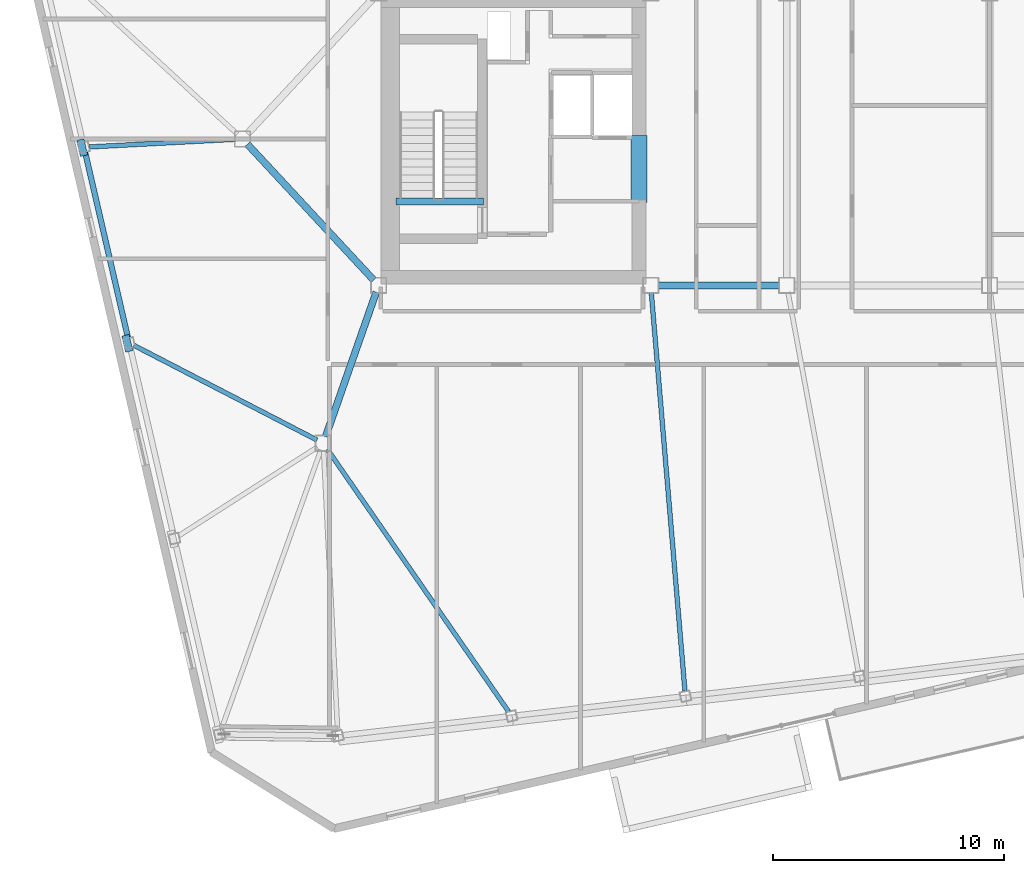
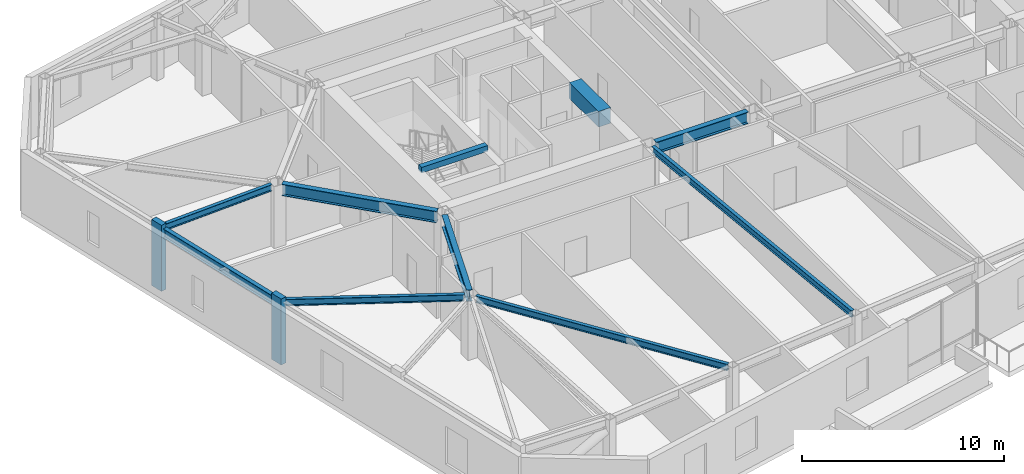
# One storey, part 6 of 23: 10 beams, 2 members.
"""IFC4 building model written with IfcOpenShell, lengths in metres."""

from ifc_helpers import new_model, si_unit, direction, frame, origin, origin_2d, place, context, subcontext, project, spatial, rectangle, i_section, extrude, material, material_profile, profile_set, type_object, element, save


model = new_model("IFC4")

# Units and contexts
model_context = context("Model", 3, precision=1e-05, world=origin(), true_north=direction((0.0, 1.0)))
body_context = subcontext(model_context, "Body", "Model", "MODEL_VIEW")
ifc_project = project(units=[si_unit("LENGTHUNIT", "METRE"), si_unit("AREAUNIT", "SQUARE_METRE"), si_unit("VOLUMEUNIT", "CUBIC_METRE"), si_unit("PLANEANGLEUNIT", "RADIAN"), si_unit("MASSUNIT", "GRAM", prefix="KILO")], contexts=[model_context])

# Site, building, storey
site_placement = place(None, origin())
site = spatial("IfcSite", under=ifc_project, at=site_placement, CompositionType="ELEMENT")
building_placement = place(site_placement, origin())
building = spatial("IfcBuilding", under=site, at=building_placement, Name="Tavrogorsk Clinical Tower", CompositionType="ELEMENT")
storey_placement = place(building_placement, frame((0.0, 0.0, 289.0)))
storey = spatial("IfcBuildingStorey", under=building, at=storey_placement, Name="L67", CompositionType="ELEMENT", Elevation=289.0)

# Beams
ifc_material_1 = material(Name="Concrete B80", Category="concrete")
ifc_material_profile_1 = material_profile(ifc_material_1, rectangle(XDim=0.699951171875, YDim=0.949951171875, at=origin_2d()), Name="RC-CB-700x950")
ifc_profile_set_1 = profile_set([ifc_material_profile_1], Name="Concrete B80")
beam_type_1 = type_object("IfcBeamType", Name="CouplingBeam_RC700x950", PredefinedType="LINTEL", material=ifc_profile_set_1)
beam_1_placement = place(storey_placement, frame((-10.800048828125, -2.75, 3.264892578125), z_axis=(0.0, 1.0, 0.0), x_axis=(-1.0, 0.0, 0.0)))
element("IfcBeam", 1, at=beam_1_placement, inside=storey, type_object=beam_type_1, Name="L67 Core West Coupling Beam", PredefinedType="LINTEL", context=body_context, shape_type="SweptSolid", body=[
    extrude(rectangle(XDim=0.699951171875, YDim=0.949951171875, at=origin_2d()), origin(), (0.0, 0.0, 1.0), 2.89990234375),
])
ifc_material_2 = material(Name="Structural steel S355", Category="steel")
ifc_material_profile_2 = material_profile(ifc_material_2, i_section(OverallWidth=0.199951171875, OverallDepth=0.39990234375, WebThickness=0.010498046875, FlangeThickness=0.01611328125, at=origin_2d()), Name="B-400x200x10.5x16")
ifc_profile_set_2 = profile_set([ifc_material_profile_2], Name="Structural steel S355")
beam_type_2 = type_object("IfcBeamType", Name="FloorBeam_B400", PredefinedType="BEAM", material=ifc_profile_set_2)
beam_2_placement = place(storey_placement, frame((-24.32373046875, -13.455078125, 3.5400390625), z_axis=(0.568335848504, -0.82279667191, 0.0), x_axis=(0.82279667191, 0.568335848504, 0.0)))
element("IfcBeam", 2, at=beam_2_placement, inside=storey, type_object=beam_type_2, Name="L67 Radial Floor Beam S2", PredefinedType="BEAM", context=body_context, shape_type="SweptSolid", body=[
    extrude(i_section(OverallWidth=0.199951171875, OverallDepth=0.39990234375, WebThickness=0.010498046875, FlangeThickness=0.01611328125, at=origin_2d()), origin(), (0.0, 0.0, 1.0), 13.831298828125),
])
beam_3_placement = place(storey_placement, frame((-10.27392578125, -6.658935546875, 3.5400390625), z_axis=(0.084215365049, -0.996447576288, 0.0), x_axis=(0.996447576288, 0.084215365049, 0.0)))
element("IfcBeam", 3, at=beam_3_placement, inside=storey, type_object=beam_type_2, Name="L67 Radial Floor Beam S3", PredefinedType="BEAM", context=body_context, shape_type="SweptSolid", body=[
    extrude(i_section(OverallWidth=0.199951171875, OverallDepth=0.39990234375, WebThickness=0.010498046875, FlangeThickness=0.01611328125, at=origin_2d()), origin(), (0.0, 0.0, 1.0), 17.3388671875),
])
beam_4_placement = place(storey_placement, frame((-28.3095703125, -0.01611328125, 3.5400390625), z_axis=(-0.99864101713, -0.052116397656, 0.0), x_axis=(0.052116397656, -0.99864101713, 0.0)))
element("IfcBeam", 4, at=beam_4_placement, inside=storey, type_object=beam_type_2, Name="L67 Radial Floor Beam W2", PredefinedType="BEAM", context=body_context, shape_type="SweptSolid", body=[
    extrude(i_section(OverallWidth=0.199951171875, OverallDepth=0.39990234375, WebThickness=0.010498046875, FlangeThickness=0.01611328125, at=origin_2d()), origin(), (0.0, 0.0, 1.0), 6.3427734375),
])
beam_5_placement = place(storey_placement, frame((-24.775390625, -13.0576171875, 3.5400390625), z_axis=(-0.888188417157, 0.459479418069, 0.0), x_axis=(-0.459479418069, -0.888188417157, 0.0)))
element("IfcBeam", 5, at=beam_5_placement, inside=storey, type_object=beam_type_2, Name="L67 Radial Floor Beam W3", PredefinedType="BEAM", context=body_context, shape_type="SweptSolid", body=[
    extrude(i_section(OverallWidth=0.199951171875, OverallDepth=0.39990234375, WebThickness=0.010498046875, FlangeThickness=0.01611328125, at=origin_2d()), origin(), (0.0, 0.0, 1.0), 8.93408203125),
])

# Members
ifc_material_3 = material(Name="Precast concrete B45 with limestone cladding", Category="masonry")
ifc_material_profile_3 = material_profile(ifc_material_3, rectangle(XDim=0.320068359375, YDim=0.719970703125, at=origin_2d()), Name="LIMESTONE-FIN-320x720")
ifc_profile_set_3 = profile_set([ifc_material_profile_3], Name="Precast concrete B45 with limestone cladding")
member_type = type_object("IfcMemberType", Name="LimestonePleatFin_320x720", PredefinedType="USERDEFINED", material=ifc_profile_set_3)
for number, where, z_axis, x_axis, name in (
    (6, (-34.95458984375, -0.376708984375, 0.0), (0.0, 0.0, 1.0), (0.974370064785, 0.224951054344, 0.0), "L67 W Pleated Stone Fin 1"),
    (7, (-32.995361328125, -8.863525390625, 0.0), (0.0, 0.0, 1.0), (0.974370064785, 0.224951054344, 0.0), "L67 W Pleated Stone Fin 2"),
):
    element("IfcMember", number, at=place(storey_placement, frame(where, z_axis=z_axis, x_axis=x_axis)), inside=storey, type_object=member_type, Name=name, ObjectType="FIN", PredefinedType="USERDEFINED", context=body_context, shape_type="SweptSolid", body=[
        extrude(rectangle(XDim=0.320068359375, YDim=0.719970703125, at=origin_2d()), origin(), (0.0, 0.0, 1.0), 4.0),
    ])

# Beams
ifc_material_4 = material(Name="Structural steel S390", Category="steel")
ifc_material_profile_4 = material_profile(ifc_material_4, i_section(OverallWidth=0.300048828125, OverallDepth=0.699951171875, WebThickness=0.01708984375, FlangeThickness=0.028076171875, at=origin_2d()), Name="B-700x300x17x28")
ifc_profile_set_4 = profile_set([ifc_material_profile_4], Name="Structural steel S390")
beam_type_3 = type_object("IfcBeamType", Name="PrimaryGirder_B700", PredefinedType="USERDEFINED", material=ifc_profile_set_4)
beam_6_placement = place(storey_placement, frame((-9.989990234375, -6.35009765625, 3.389892578125), z_axis=(1.0, 0.0, 0.0), x_axis=(0.0, 1.0, 0.0)))
element("IfcBeam", 8, at=beam_6_placement, inside=storey, type_object=beam_type_3, Name="L67 Primary Spine Girder MG-01", ObjectType="GIRDER", PredefinedType="USERDEFINED", context=body_context, shape_type="SweptSolid", body=[
    extrude(i_section(OverallWidth=0.300048828125, OverallDepth=0.699951171875, WebThickness=0.01708984375, FlangeThickness=0.028076171875, at=origin_2d()), origin(), (0.0, 0.0, 1.0), 5.280029296875),
])
beam_7_placement = place(storey_placement, frame((-24.3974609375, -12.907470703125, 3.389892578125), z_axis=(0.330666578092, 0.943747643246, 0.0), x_axis=(-0.943747643246, 0.330666578092, 0.0)))
element("IfcBeam", 9, at=beam_7_placement, inside=storey, type_object=beam_type_3, Name="L67 Spine Link Girder OPG-1", ObjectType="GIRDER", PredefinedType="USERDEFINED", context=body_context, shape_type="SweptSolid", body=[
    extrude(i_section(OverallWidth=0.300048828125, OverallDepth=0.699951171875, WebThickness=0.01708984375, FlangeThickness=0.028076171875, at=origin_2d()), origin(), (0.0, 0.0, 1.0), 6.638427734375),
])
beam_8_placement = place(storey_placement, frame((-27.7890625, -0.22705078125, 3.389892578125), z_axis=(0.680677963005, -0.732582767119, 0.0), x_axis=(0.732582767119, 0.680677963005, 0.0)))
element("IfcBeam", 10, at=beam_8_placement, inside=storey, type_object=beam_type_3, Name="L67 Spine Link Girder OPG-5", ObjectType="GIRDER", PredefinedType="USERDEFINED", context=body_context, shape_type="SweptSolid", body=[
    extrude(i_section(OverallWidth=0.300048828125, OverallDepth=0.699951171875, WebThickness=0.01708984375, FlangeThickness=0.028076171875, at=origin_2d()), origin(), (0.0, 0.0, 1.0), 8.0478515625),
])
ifc_material_5 = material(Name="Structural steel S390", Category="steel")
ifc_material_profile_5 = material_profile(ifc_material_5, i_section(OverallWidth=0.239990234375, OverallDepth=0.550048828125, WebThickness=0.013916015625, FlangeThickness=0.02197265625, at=origin_2d()), Name="B-550x240x14x22")
ifc_profile_set_5 = profile_set([ifc_material_profile_5], Name="Structural steel S390")
beam_type_4 = type_object("IfcBeamType", Name="SpandrelBeam_B550", PredefinedType="SPANDREL", material=ifc_profile_set_5)
beam_9_placement = place(storey_placement, frame((-34.82421875, -0.585693359375, 3.465087890625), z_axis=(0.224950345141, -0.974370228517, 0.0), x_axis=(0.974370228517, 0.224950345141, 0.0)))
element("IfcBeam", 11, at=beam_9_placement, inside=storey, type_object=beam_type_4, Name="L67 Perimeter Spandrel W2-W3", PredefinedType="SPANDREL", context=body_context, shape_type="SweptSolid", body=[
    extrude(i_section(OverallWidth=0.239990234375, OverallDepth=0.550048828125, WebThickness=0.013916015625, FlangeThickness=0.02197265625, at=origin_2d()), origin(), (0.0, 0.0, 1.0), 8.243896484375),
])
ifc_material_6 = material(Name="Concrete B60", Category="concrete")
ifc_material_profile_6 = material_profile(ifc_material_6, rectangle(XDim=0.300048828125, YDim=0.35009765625, at=origin_2d()), Name="RC-SHB-300x350")
ifc_profile_set_6 = profile_set([ifc_material_profile_6], Name="Concrete B60")
beam_type_5 = type_object("IfcBeamType", Name="StairHeaderBeam_RC300x350", PredefinedType="BEAM", material=ifc_profile_set_6)
beam_10_placement = place(storey_placement, frame((-21.35009765625, -2.719970703125, 3.824951171875), z_axis=(1.0, 0.0, 0.0), x_axis=(0.0, 1.0, 0.0)))
element("IfcBeam", 12, at=beam_10_placement, inside=storey, type_object=beam_type_5, Name="L68 ST-W Landing Header Beam", PredefinedType="BEAM", context=body_context, shape_type="SweptSolid", body=[
    extrude(rectangle(XDim=0.300048828125, YDim=0.35009765625, at=origin_2d()), origin(), (0.0, 0.0, 1.0), 3.800048828125),
])

save(model, "model.ifc")
